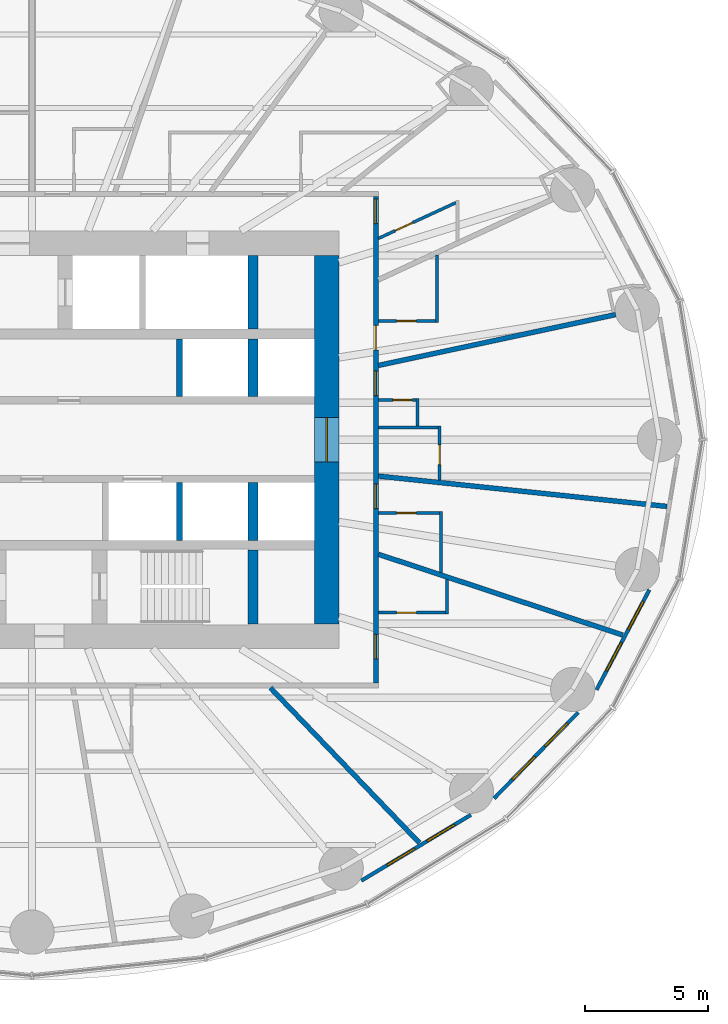
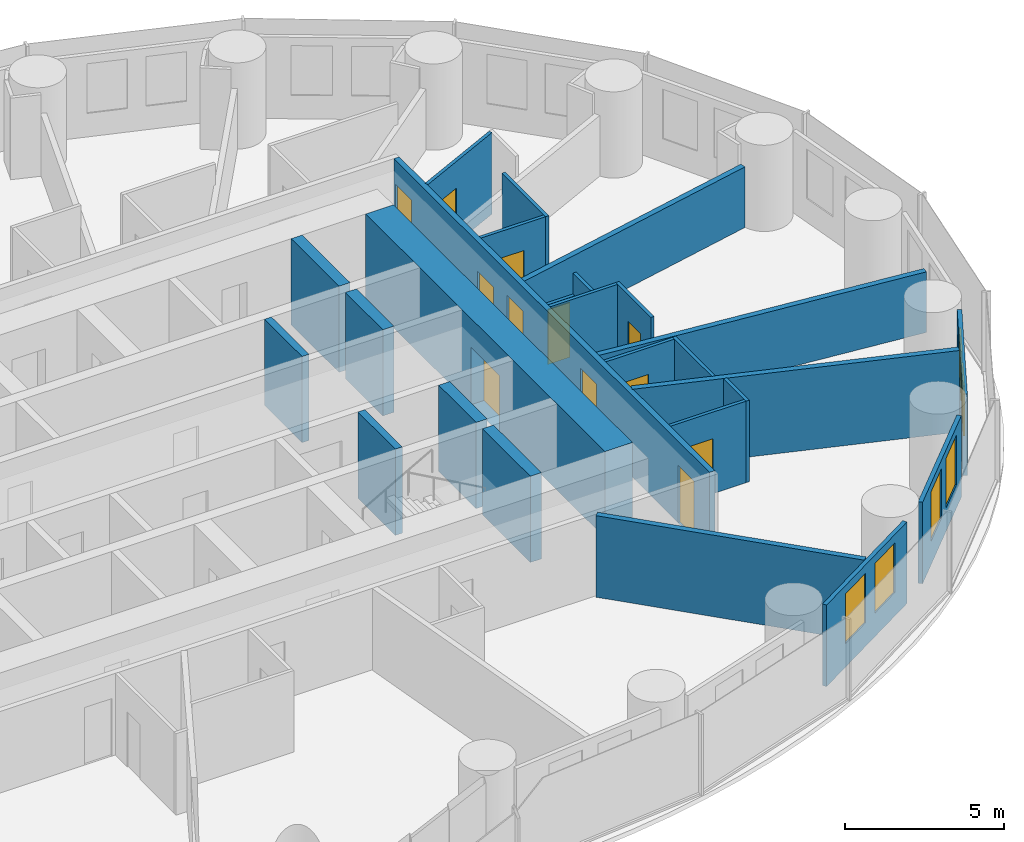
# One storey, part 9 of 13: 26 walls, 12 doors, 6 windows, 18 openings.
"""IFC4 building model written with IfcOpenShell, lengths in metres."""

from ifc_helpers import new_model, si_unit, direction, frame, frame_2d, origin, place, context, subcontext, project, spatial, rectangle, extrude, material, layer, layer_set, type_object, element, fill, save


model = new_model("IFC4")

# Units and contexts
model_context = context("Model", 3, precision=1e-05, world=origin(), true_north=direction((0.0, 1.0)))
body_context = subcontext(model_context, "Body", "Model", "MODEL_VIEW")
ifc_project = project(units=[si_unit("LENGTHUNIT", "METRE"), si_unit("AREAUNIT", "SQUARE_METRE"), si_unit("VOLUMEUNIT", "CUBIC_METRE"), si_unit("PLANEANGLEUNIT", "RADIAN"), si_unit("MASSUNIT", "GRAM", prefix="KILO")], contexts=[model_context])

# Site, building, storey
site_placement = place(None, origin())
site = spatial("IfcSite", under=ifc_project, at=site_placement, CompositionType="ELEMENT")
building_placement = place(site_placement, origin())
building = spatial("IfcBuilding", under=site, at=building_placement, Name="Hankou Lantern Tower", CompositionType="ELEMENT")
storey_placement = place(building_placement, frame((0.0, 0.0, 39.300048828125)))
storey = spatial("IfcBuildingStorey", under=building, at=storey_placement, Name="L08", CompositionType="ELEMENT", Elevation=39.300048828125)

# Wall, opening, door
ifc_material_1 = material(Name="Concrete C60", Category="concrete")
ifc_layer_1 = layer(ifc_material_1, 1.0)
ifc_layer_set_1 = layer_set([ifc_layer_1], Name="Concrete C60")
wall_type_1 = type_object("IfcWallType", Name="CW1 CORE WALL 1000", PredefinedType="SHEAR", material=ifc_layer_set_1)
wall_1_placement = place(storey_placement, frame((12.0, -7.5, 0.0), z_axis=(0.0, 0.0, 1.0), x_axis=(0.0, 1.0, 0.0)))
wall_1 = element("IfcWall", 1, at=wall_1_placement, inside=storey, type_object=wall_type_1, Name="Core wall east L08", PredefinedType="SHEAR", context=body_context, shape_type="SweptSolid", body=[
    extrude(rectangle(XDim=15.0, YDim=1.0, at=frame_2d((7.5, 0.0))), origin(), (0.0, 0.0, 1.0), 3.300048828125),
])
opening_1_placement = place(wall_1_placement, frame((6.60009765625, 0.0, 0.0)))
opening_1 = element("IfcOpeningElement", 2, at=opening_1_placement, cuts=wall_1, Name="Opening D6", PredefinedType="OPENING", context=body_context, shape_type="SweptSolid", body=[
    extrude(rectangle(XDim=1.800048828125, YDim=2.199951171875, at=frame_2d((0.89990234375, 1.10009765625))), frame((0.0, 0.510009765625, 0.0), z_axis=(0.0, -1.0, 0.0), x_axis=(1.0, 0.0, 0.0)), (0.0, 0.0, 1.0), 1.02001953125),
])
ifc_material_2 = material(Name="Steel door leaf", Category="steel")
door_type_1 = type_object("IfcDoorType", Name="D6 LIFT LOBBY DOOR 1800X2200", OperationType="DOUBLE_DOOR_DOUBLE_SWING", PredefinedType="DOOR", material=ifc_material_2)
door_1_placement = place(opening_1_placement, origin())
door_1 = element("IfcDoor", 3, at=door_1_placement, inside=storey, type_object=door_type_1, Name="Lift lobby east door", OperationType="DOUBLE_DOOR_DOUBLE_SWING", OverallHeight=2.199951171875, OverallWidth=1.800048828125, PredefinedType="DOOR", context=body_context, shape_type="SweptSolid", body=[
    extrude(rectangle(XDim=1.800048828125, YDim=2.199951171875, at=frame_2d((0.89990234375, 1.10009765625))), frame((0.0, 0.02490234375, 0.0), z_axis=(0.0, -1.0, 0.0), x_axis=(1.0, 0.0, 0.0)), (0.0, 0.0, 1.0), 0.050048828125),
])
fill(opening_1, door_1)

# Walls
ifc_material_3 = material(Name="Concrete C60", Category="concrete")
ifc_layer_2 = layer(ifc_material_3, 0.39990234375)
ifc_layer_set_2 = layer_set([ifc_layer_2], Name="Concrete C60")
wall_type_2 = type_object("IfcWallType", Name="CW4 CORE CROSS WALL 400", PredefinedType="SHEAR", material=ifc_layer_set_2)
wall_2_placement = place(storey_placement, frame((9.0, 4.5, 0.0), z_axis=(0.0, 0.0, 1.0), x_axis=(0.0, 1.0, 0.0)))
element("IfcWall", 4, at=wall_2_placement, inside=storey, type_object=wall_type_2, Name="Core strip wall L08", PredefinedType="SHEAR", context=body_context, shape_type="SweptSolid", body=[
    extrude(rectangle(XDim=3.0, YDim=0.39990234375, at=frame_2d((1.5, 0.0))), origin(), (0.0, 0.0, 1.0), 3.300048828125),
])
for number, where, z_axis, x_axis, name in (
    (5, (9.0, 1.75, 0.0), (0.0, 0.0, 1.0), (0.0, 1.0, 0.0), "Core strip wall L08"),
    (6, (9.0, -4.10009765625, 0.0), (0.0, 0.0, 1.0), (0.0, 1.0, 0.0), "Core strip wall L08"),
):
    element("IfcWall", number, at=place(storey_placement, frame(where, z_axis=z_axis, x_axis=x_axis)), inside=storey, type_object=wall_type_2, Name=name, PredefinedType="SHEAR", context=body_context, shape_type="SweptSolid", body=[
        extrude(rectangle(XDim=2.35009765625, YDim=0.39990234375, at=frame_2d((1.175048828125, 0.0))), origin(), (0.0, 0.0, 1.0), 3.300048828125),
    ])
wall_3_placement = place(storey_placement, frame((9.0, -7.5, 0.0), z_axis=(0.0, 0.0, 1.0), x_axis=(0.0, 1.0, 0.0)))
element("IfcWall", 7, at=wall_3_placement, inside=storey, type_object=wall_type_2, Name="Core strip wall L08", PredefinedType="SHEAR", context=body_context, shape_type="SweptSolid", body=[
    extrude(rectangle(XDim=3.0, YDim=0.39990234375, at=frame_2d((1.5, 0.0))), origin(), (0.0, 0.0, 1.0), 3.300048828125),
])

# Wall, openings, windows
ifc_material_4 = material(Name="Aluminium spandrel panel on steel studs", Category="steel")
ifc_layer_3 = layer(ifc_material_4, 0.14990234375)
ifc_layer_set_3 = layer_set([ifc_layer_3], Name="Aluminium spandrel panel on steel studs")
wall_type_3 = type_object("IfcWallType", Name="EW1 INNER SKIN WALL 150", PredefinedType="ELEMENTEDWALL", material=ifc_layer_set_3)
wall_4_placement = place(storey_placement, frame((13.412109375, -17.957275390625, 0.0), z_axis=(0.0, 0.0, 1.0), x_axis=(0.856958191554, 0.515385931054, 0.0)))
wall_4 = element("IfcWall", 8, at=wall_4_placement, inside=storey, type_object=wall_type_3, Name="Inner skin R21-R22 L08", PredefinedType="ELEMENTEDWALL", context=body_context, shape_type="SweptSolid", body=[
    extrude(rectangle(XDim=5.201171875, YDim=0.14990234375, at=frame_2d((2.6005859375, 0.0))), origin(), (0.0, 0.0, 1.0), 3.119873046875),
])
opening_2_placement = place(wall_4_placement, frame((1.22509765625, 0.0, 0.89990234375)))
opening_2 = element("IfcOpeningElement", 9, at=opening_2_placement, cuts=wall_4, Name="Opening W9", PredefinedType="OPENING", context=body_context, shape_type="SweptSolid", body=[
    extrude(rectangle(XDim=1.300048828125, YDim=1.89990234375, at=frame_2d((0.64990234375, 0.949951171875))), frame((0.0, 0.0849609375, 0.0), z_axis=(0.0, -1.0, 0.0), x_axis=(1.0, 0.0, 0.0)), (0.0, 0.0, 1.0), 0.169921875),
])
opening_3_placement = place(wall_4_placement, frame((3.125, 0.0, 0.89990234375)))
opening_3 = element("IfcOpeningElement", 10, at=opening_3_placement, cuts=wall_4, Name="Opening W9", PredefinedType="OPENING", context=body_context, shape_type="SweptSolid", body=[
    extrude(rectangle(XDim=1.300048828125, YDim=1.89990234375, at=frame_2d((0.64990234375, 0.949951171875))), frame((0.0, 0.0849609375, 0.0), z_axis=(0.0, -1.0, 0.0), x_axis=(1.0, 0.0, 0.0)), (0.0, 0.0, 1.0), 0.169921875),
])
ifc_material_5 = material(Name="Aluminium framed double glazed window", Category="aluminium")
window_type = type_object("IfcWindowType", Name="W9 GUEST ROOM WINDOW 1300X1900", PartitioningType="DOUBLE_PANEL_VERTICAL", PredefinedType="WINDOW", material=ifc_material_5)
window_1_placement = place(opening_2_placement, origin())
window_1 = element("IfcWindow", 11, at=window_1_placement, inside=storey, type_object=window_type, Name="Window R21.1 L08", OverallHeight=1.89990234375, OverallWidth=1.300048828125, PartitioningType="SINGLE_PANEL", PredefinedType="WINDOW", context=body_context, shape_type="SweptSolid", body=[
    extrude(rectangle(XDim=1.300048828125, YDim=1.89990234375, at=frame_2d((0.64990234375, 0.949951171875))), frame((0.0, 0.030029296875, 0.0), z_axis=(0.0, -1.0, 0.0), x_axis=(1.0, 0.0, 0.0)), (0.0, 0.0, 1.0), 0.06005859375),
])
fill(opening_2, window_1)
window_2_placement = place(opening_3_placement, origin())
window_2 = element("IfcWindow", 12, at=window_2_placement, inside=storey, type_object=window_type, Name="Window R21.2 L08", OverallHeight=1.89990234375, OverallWidth=1.300048828125, PartitioningType="SINGLE_PANEL", PredefinedType="WINDOW", context=body_context, shape_type="SweptSolid", body=[
    extrude(rectangle(XDim=1.300048828125, YDim=1.89990234375, at=frame_2d((0.64990234375, 0.949951171875))), frame((0.0, 0.030029296875, 0.0), z_axis=(0.0, -1.0, 0.0), x_axis=(1.0, 0.0, 0.0)), (0.0, 0.0, 1.0), 0.06005859375),
])
fill(opening_3, window_2)

wall_5_placement = place(storey_placement, frame((18.8134765625, -14.606689453125, 0.0), z_axis=(0.0, 0.0, 1.0), x_axis=(0.699612594083, 0.714522370679, 0.0)))
wall_5 = element("IfcWall", 13, at=wall_5_placement, inside=storey, type_object=wall_type_3, Name="Inner skin R22-R23 L08", PredefinedType="ELEMENTEDWALL", context=body_context, shape_type="SweptSolid", body=[
    extrude(rectangle(XDim=4.89599609375, YDim=0.14990234375, at=frame_2d((2.447998046875, 0.0))), origin(), (0.0, 0.0, 1.0), 3.119873046875),
])
opening_4_placement = place(wall_5_placement, frame((1.076904296875, 0.0, 0.89990234375)))
opening_4 = element("IfcOpeningElement", 14, at=opening_4_placement, cuts=wall_5, Name="Opening W9", PredefinedType="OPENING", context=body_context, shape_type="SweptSolid", body=[
    extrude(rectangle(XDim=1.300048828125, YDim=1.89990234375, at=frame_2d((0.64990234375, 0.949951171875))), frame((0.0, 0.0849609375, 0.0), z_axis=(0.0, -1.0, 0.0), x_axis=(1.0, 0.0, 0.0)), (0.0, 0.0, 1.0), 0.169921875),
])
opening_5_placement = place(wall_5_placement, frame((2.976806640625, 0.0, 0.89990234375)))
opening_5 = element("IfcOpeningElement", 15, at=opening_5_placement, cuts=wall_5, Name="Opening W9", PredefinedType="OPENING", context=body_context, shape_type="SweptSolid", body=[
    extrude(rectangle(XDim=1.300048828125, YDim=1.89990234375, at=frame_2d((0.64990234375, 0.949951171875))), frame((0.0, 0.0849609375, 0.0), z_axis=(0.0, -1.0, 0.0), x_axis=(1.0, 0.0, 0.0)), (0.0, 0.0, 1.0), 0.169921875),
])
window_3_placement = place(opening_4_placement, origin())
window_3 = element("IfcWindow", 16, at=window_3_placement, inside=storey, type_object=window_type, Name="Window R22.1 L08", OverallHeight=1.89990234375, OverallWidth=1.300048828125, PartitioningType="SINGLE_PANEL", PredefinedType="WINDOW", context=body_context, shape_type="SweptSolid", body=[
    extrude(rectangle(XDim=1.300048828125, YDim=1.89990234375, at=frame_2d((0.64990234375, 0.949951171875))), frame((0.0, 0.030029296875, 0.0), z_axis=(0.0, -1.0, 0.0), x_axis=(1.0, 0.0, 0.0)), (0.0, 0.0, 1.0), 0.06005859375),
])
fill(opening_4, window_3)
window_4_placement = place(opening_5_placement, origin())
window_4 = element("IfcWindow", 17, at=window_4_placement, inside=storey, type_object=window_type, Name="Window R22.2 L08", OverallHeight=1.89990234375, OverallWidth=1.300048828125, PartitioningType="SINGLE_PANEL", PredefinedType="WINDOW", context=body_context, shape_type="SweptSolid", body=[
    extrude(rectangle(XDim=1.300048828125, YDim=1.89990234375, at=frame_2d((0.64990234375, 0.949951171875))), frame((0.0, 0.030029296875, 0.0), z_axis=(0.0, -1.0, 0.0), x_axis=(1.0, 0.0, 0.0)), (0.0, 0.0, 1.0), 0.06005859375),
])
fill(opening_5, window_4)

wall_6_placement = place(storey_placement, frame((22.986083984375, -10.185302734375, 0.0), z_axis=(0.0, 0.0, 1.0), x_axis=(0.467303182954, 0.884097129959, 0.0)))
wall_6 = element("IfcWall", 18, at=wall_6_placement, inside=storey, type_object=wall_type_3, Name="Inner skin R23-R24 L08", PredefinedType="ELEMENTEDWALL", context=body_context, shape_type="SweptSolid", body=[
    extrude(rectangle(XDim=4.6064453125, YDim=0.14990234375, at=frame_2d((2.30322265625, 0.0))), origin(), (0.0, 0.0, 1.0), 3.119873046875),
])
opening_6_placement = place(wall_6_placement, frame((0.874755859375, 0.0, 0.89990234375)))
opening_6 = element("IfcOpeningElement", 19, at=opening_6_placement, cuts=wall_6, Name="Opening W9", PredefinedType="OPENING", context=body_context, shape_type="SweptSolid", body=[
    extrude(rectangle(XDim=1.300048828125, YDim=1.89990234375, at=frame_2d((0.64990234375, 0.949951171875))), frame((0.0, 0.0849609375, 0.0), z_axis=(0.0, -1.0, 0.0), x_axis=(1.0, 0.0, 0.0)), (0.0, 0.0, 1.0), 0.169921875),
])
opening_7_placement = place(wall_6_placement, frame((2.77490234375, 0.0, 0.89990234375)))
opening_7 = element("IfcOpeningElement", 20, at=opening_7_placement, cuts=wall_6, Name="Opening W9", PredefinedType="OPENING", context=body_context, shape_type="SweptSolid", body=[
    extrude(rectangle(XDim=1.300048828125, YDim=1.89990234375, at=frame_2d((0.64990234375, 0.949951171875))), frame((0.0, 0.0849609375, 0.0), z_axis=(0.0, -1.0, 0.0), x_axis=(1.0, 0.0, 0.0)), (0.0, 0.0, 1.0), 0.169921875),
])
window_5_placement = place(opening_6_placement, origin())
window_5 = element("IfcWindow", 21, at=window_5_placement, inside=storey, type_object=window_type, Name="Window R23.1 L08", OverallHeight=1.89990234375, OverallWidth=1.300048828125, PartitioningType="SINGLE_PANEL", PredefinedType="WINDOW", context=body_context, shape_type="SweptSolid", body=[
    extrude(rectangle(XDim=1.300048828125, YDim=1.89990234375, at=frame_2d((0.64990234375, 0.949951171875))), frame((0.0, 0.030029296875, 0.0), z_axis=(0.0, -1.0, 0.0), x_axis=(1.0, 0.0, 0.0)), (0.0, 0.0, 1.0), 0.06005859375),
])
fill(opening_6, window_5)
window_6_placement = place(opening_7_placement, origin())
window_6 = element("IfcWindow", 22, at=window_6_placement, inside=storey, type_object=window_type, Name="Window R23.2 L08", OverallHeight=1.89990234375, OverallWidth=1.300048828125, PartitioningType="SINGLE_PANEL", PredefinedType="WINDOW", context=body_context, shape_type="SweptSolid", body=[
    extrude(rectangle(XDim=1.300048828125, YDim=1.89990234375, at=frame_2d((0.64990234375, 0.949951171875))), frame((0.0, 0.030029296875, 0.0), z_axis=(0.0, -1.0, 0.0), x_axis=(1.0, 0.0, 0.0)), (0.0, 0.0, 1.0), 0.06005859375),
])
fill(opening_7, window_6)

# Walls
ifc_material_6 = material(Name="Masonry lightweight concrete block", Category="masonry")
ifc_layer_4 = layer(ifc_material_6, 0.199951171875)
ifc_layer_set_4 = layer_set([ifc_layer_4], Name="Masonry lightweight concrete block")
wall_type_4 = type_object("IfcWallType", Name="IW1 GUEST ROOM PARTY WALL 200", PredefinedType="PARTITIONING", material=ifc_layer_set_4)
wall_7_placement = place(storey_placement, frame((14.10009765625, 3.0224609375, 0.0), z_axis=(0.0, 0.0, 1.0), x_axis=(0.977786510688, 0.209603290805, 0.0)))
element("IfcWall", 23, at=wall_7_placement, inside=storey, type_object=wall_type_4, Name="Party wall R02", PredefinedType="PARTITIONING", context=body_context, shape_type="SweptSolid", body=[
    extrude(rectangle(XDim=9.88671875, YDim=0.199951171875, at=frame_2d((4.943359375, 0.0))), origin(), (0.0, 0.0, 1.0), 2.320068359375),
])
wall_8_placement = place(storey_placement, frame((9.705078125, -10.10009765625, 0.0), z_axis=(0.0, 0.0, 1.0), x_axis=(0.692879226267, -0.721053658064, 0.0)))
element("IfcWall", 24, at=wall_8_placement, inside=storey, type_object=wall_type_4, Name="Party wall R21-R22", PredefinedType="PARTITIONING", context=body_context, shape_type="SweptSolid", body=[
    extrude(rectangle(XDim=8.7607421875, YDim=0.199951171875, at=frame_2d((4.38037109375, 0.0))), origin(), (0.0, 0.0, 1.0), 3.119873046875),
])
wall_9_placement = place(storey_placement, frame((14.10009765625, -4.6630859375, 0.0), z_axis=(0.0, 0.0, 1.0), x_axis=(0.949432655039, -0.31397075269, 0.0)))
element("IfcWall", 25, at=wall_9_placement, inside=storey, type_object=wall_type_4, Name="Party wall R23-R24", PredefinedType="PARTITIONING", context=body_context, shape_type="SweptSolid", body=[
    extrude(rectangle(XDim=10.48583984375, YDim=0.199951171875, at=frame_2d((5.242919921875, 0.0))), origin(), (0.0, 0.0, 1.0), 3.119873046875),
])
wall_10_placement = place(storey_placement, frame((14.10009765625, -1.48193359375, 0.0), z_axis=(0.0, 0.0, 1.0), x_axis=(0.994522076235, -0.104526742422, 0.0)))
element("IfcWall", 26, at=wall_10_placement, inside=storey, type_object=wall_type_4, Name="Party wall R24-R01", PredefinedType="PARTITIONING", context=body_context, shape_type="SweptSolid", body=[
    extrude(rectangle(XDim=11.82080078125, YDim=0.199951171875, at=frame_2d((5.910400390625, 0.0))), origin(), (0.0, 0.0, 1.0), 2.320068359375),
])

# Wall, openings, doors
ifc_material_7 = material(Name="Masonry lightweight concrete block", Category="masonry")
ifc_layer_5 = layer(ifc_material_7, 0.199951171875)
ifc_layer_set_5 = layer_set([ifc_layer_5], Name="Masonry lightweight concrete block")
wall_type_5 = type_object("IfcWallType", Name="IW2 CORRIDOR WALL 200", PredefinedType="PARTITIONING", material=ifc_layer_set_5)
wall_11_placement = place(storey_placement, frame((14.0, -9.89990234375, 0.0), z_axis=(0.0, 0.0, 1.0), x_axis=(0.0, 1.0, 0.0)))
wall_11 = element("IfcWall", 27, at=wall_11_placement, inside=storey, type_object=wall_type_5, Name="Corridor wall east", PredefinedType="PARTITIONING", context=body_context, shape_type="SweptSolid", body=[
    extrude(rectangle(XDim=19.7998046875, YDim=0.199951171875, at=frame_2d((9.89990234375, 0.0))), origin(), (0.0, 0.0, 1.0), 3.119873046875),
])
opening_8_placement = place(wall_11_placement, frame((11.697998046875, 0.0, 0.0)))
opening_8 = element("IfcOpeningElement", 28, at=opening_8_placement, cuts=wall_11, Name="Opening D1", PredefinedType="OPENING", context=body_context, shape_type="SweptSolid", body=[
    extrude(rectangle(XDim=1.0, YDim=2.199951171875, at=frame_2d((0.5, 1.10009765625))), frame((0.0, 0.10986328125, 0.0), z_axis=(0.0, -1.0, 0.0), x_axis=(1.0, 0.0, 0.0)), (0.0, 0.0, 1.0), 0.219970703125),
])
opening_9_placement = place(wall_11_placement, frame((13.553955078125, 0.0, 0.0)))
opening_9 = element("IfcOpeningElement", 29, at=opening_9_placement, cuts=wall_11, Name="Opening D35", PredefinedType="OPENING", context=body_context, shape_type="SweptSolid", body=[
    extrude(rectangle(XDim=1.0, YDim=2.0, at=frame_2d((0.5, 1.0))), frame((0.0, 0.10986328125, 0.0), z_axis=(0.0, -1.0, 0.0), x_axis=(1.0, 0.0, 0.0)), (0.0, 0.0, 1.0), 0.219970703125),
])
opening_10_placement = place(wall_11_placement, frame((18.697509765625, 0.0, 0.0)))
opening_10 = element("IfcOpeningElement", 30, at=opening_10_placement, cuts=wall_11, Name="Opening D1", PredefinedType="OPENING", context=body_context, shape_type="SweptSolid", body=[
    extrude(rectangle(XDim=1.0, YDim=2.199951171875, at=frame_2d((0.5, 1.10009765625))), frame((0.0, 0.10986328125, 0.0), z_axis=(0.0, -1.0, 0.0), x_axis=(1.0, 0.0, 0.0)), (0.0, 0.0, 1.0), 0.219970703125),
])
opening_11_placement = place(wall_11_placement, frame((0.97509765625, 0.0, 0.0)))
opening_11 = element("IfcOpeningElement", 31, at=opening_11_placement, cuts=wall_11, Name="Opening D2", PredefinedType="OPENING", context=body_context, shape_type="SweptSolid", body=[
    extrude(rectangle(XDim=1.0, YDim=2.199951171875, at=frame_2d((0.5, 1.10009765625))), frame((0.0, 0.10986328125, 0.0), z_axis=(0.0, -1.0, 0.0), x_axis=(1.0, 0.0, 0.0)), (0.0, 0.0, 1.0), 0.219970703125),
])
opening_12_placement = place(wall_11_placement, frame((7.096923828125, 0.0, 0.0)))
opening_12 = element("IfcOpeningElement", 32, at=opening_12_placement, cuts=wall_11, Name="Opening D1", PredefinedType="OPENING", context=body_context, shape_type="SweptSolid", body=[
    extrude(rectangle(XDim=1.0, YDim=2.199951171875, at=frame_2d((0.5, 1.10009765625))), frame((0.0, 0.10986328125, 0.0), z_axis=(0.0, -1.0, 0.0), x_axis=(1.0, 0.0, 0.0)), (0.0, 0.0, 1.0), 0.219970703125),
])
ifc_material_8 = material(Name="Steel door leaf", Category="steel")
door_type_2 = type_object("IfcDoorType", Name="D1 GUEST ROOM DOOR 1000X2200", OperationType="SINGLE_SWING_LEFT", PredefinedType="DOOR", material=ifc_material_8)
door_2_placement = place(opening_8_placement, origin())
door_2 = element("IfcDoor", 33, at=door_2_placement, inside=storey, type_object=door_type_2, Name="Guest room door 0801", OperationType="SINGLE_SWING_RIGHT", OverallHeight=2.199951171875, OverallWidth=1.0, PredefinedType="DOOR", context=body_context, shape_type="SweptSolid", body=[
    extrude(rectangle(XDim=1.0, YDim=2.199951171875, at=frame_2d((0.5, 1.10009765625))), frame((0.0, 0.02490234375, 0.0), z_axis=(0.0, -1.0, 0.0), x_axis=(1.0, 0.0, 0.0)), (0.0, 0.0, 1.0), 0.050048828125),
])
fill(opening_8, door_2)
door_3_placement = place(opening_10_placement, origin())
door_3 = element("IfcDoor", 34, at=door_3_placement, inside=storey, type_object=door_type_2, Name="Guest room door 0803", OperationType="SINGLE_SWING_RIGHT", OverallHeight=2.199951171875, OverallWidth=1.0, PredefinedType="DOOR", context=body_context, shape_type="SweptSolid", body=[
    extrude(rectangle(XDim=1.0, YDim=2.199951171875, at=frame_2d((0.5, 1.10009765625))), frame((0.0, 0.02490234375, 0.0), z_axis=(0.0, -1.0, 0.0), x_axis=(1.0, 0.0, 0.0)), (0.0, 0.0, 1.0), 0.050048828125),
])
fill(opening_10, door_3)
door_4_placement = place(opening_12_placement, origin())
door_4 = element("IfcDoor", 35, at=door_4_placement, inside=storey, type_object=door_type_2, Name="Guest room door 0819", OperationType="SINGLE_SWING_LEFT", OverallHeight=2.199951171875, OverallWidth=1.0, PredefinedType="DOOR", context=body_context, shape_type="SweptSolid", body=[
    extrude(rectangle(XDim=1.0, YDim=2.199951171875, at=frame_2d((0.5, 1.10009765625))), frame((0.0, 0.02490234375, 0.0), z_axis=(0.0, -1.0, 0.0), x_axis=(1.0, 0.0, 0.0)), (0.0, 0.0, 1.0), 0.050048828125),
])
fill(opening_12, door_4)
ifc_material_9 = material(Name="Steel door leaf", Category="steel")
door_type_3 = type_object("IfcDoorType", Name="D2 SUITE DOOR 1000X2200", OperationType="SINGLE_SWING_LEFT", PredefinedType="DOOR", material=ifc_material_9)
door_5_placement = place(opening_11_placement, origin())
door_5 = element("IfcDoor", 36, at=door_5_placement, inside=storey, type_object=door_type_3, Name="Suite door 0818", OperationType="SINGLE_SWING_LEFT", OverallHeight=2.199951171875, OverallWidth=1.0, PredefinedType="DOOR", context=body_context, shape_type="SweptSolid", body=[
    extrude(rectangle(XDim=1.0, YDim=2.199951171875, at=frame_2d((0.5, 1.10009765625))), frame((0.0, 0.02490234375, 0.0), z_axis=(0.0, -1.0, 0.0), x_axis=(1.0, 0.0, 0.0)), (0.0, 0.0, 1.0), 0.050048828125),
])
fill(opening_11, door_5)
ifc_material_10 = material(Name="Steel door leaf", Category="steel")
door_type_4 = type_object("IfcDoorType", Name="D35 GUEST ROOM DOOR 1000X2000", OperationType="SINGLE_SWING_LEFT", PredefinedType="DOOR", material=ifc_material_10)
door_6_placement = place(opening_9_placement, origin())
door_6 = element("IfcDoor", 37, at=door_6_placement, inside=storey, type_object=door_type_4, Name="Guest room door 0802", OperationType="SINGLE_SWING_RIGHT", OverallHeight=2.0, OverallWidth=1.0, PredefinedType="DOOR", context=body_context, shape_type="SweptSolid", body=[
    extrude(rectangle(XDim=1.0, YDim=2.0, at=frame_2d((0.5, 1.0))), frame((0.0, 0.02490234375, 0.0), z_axis=(0.0, -1.0, 0.0), x_axis=(1.0, 0.0, 0.0)), (0.0, 0.0, 1.0), 0.050048828125),
])
fill(opening_9, door_6)

# Wall, opening, door
ifc_material_11 = material(Name="Masonry lightweight concrete block", Category="masonry")
ifc_layer_6 = layer(ifc_material_11, 0.1201171875)
ifc_layer_set_6 = layer_set([ifc_layer_6], Name="Masonry lightweight concrete block")
wall_type_6 = type_object("IfcWallType", Name="IW3 BATHROOM WALL 120", PredefinedType="PARTITIONING", material=ifc_layer_set_6)
wall_12_placement = place(storey_placement, frame((16.60009765625, -1.644775390625, 0.0), z_axis=(0.0, 0.0, 1.0), x_axis=(0.0, 1.0, 0.0)))
wall_12 = element("IfcWall", 38, at=wall_12_placement, inside=storey, type_object=wall_type_6, Name="Box wall 0801 1", PredefinedType="PARTITIONING", context=body_context, shape_type="SweptSolid", body=[
    extrude(rectangle(XDim=2.202880859375, YDim=0.1201171875, at=frame_2d((1.1015625, 0.0))), origin(), (0.0, 0.0, 1.0), 3.119873046875),
])
opening_13_placement = place(wall_12_placement, frame((0.634033203125, 0.0, 0.0)))
opening_13 = element("IfcOpeningElement", 39, at=opening_13_placement, cuts=wall_12, Name="Opening D3", PredefinedType="OPENING", context=body_context, shape_type="SweptSolid", body=[
    extrude(rectangle(XDim=0.800048828125, YDim=2.10009765625, at=frame_2d((0.39990234375, 1.050048828125))), frame((0.0, 0.070068359375, 0.0), z_axis=(0.0, -1.0, 0.0), x_axis=(1.0, 0.0, 0.0)), (0.0, 0.0, 1.0), 0.14013671875),
])
ifc_material_12 = material(Name="Timber door leaf", Category="wood")
door_type_5 = type_object("IfcDoorType", Name="D3 BATHROOM DOOR 800X2100", OperationType="SINGLE_SWING_LEFT", PredefinedType="DOOR", material=ifc_material_12)
door_7_placement = place(opening_13_placement, origin())
door_7 = element("IfcDoor", 40, at=door_7_placement, inside=storey, type_object=door_type_5, Name="En-suite bathroom 0801 door", OperationType="SINGLE_SWING_LEFT", OverallHeight=2.10009765625, OverallWidth=0.800048828125, PredefinedType="DOOR", context=body_context, shape_type="SweptSolid", body=[
    extrude(rectangle(XDim=0.800048828125, YDim=2.10009765625, at=frame_2d((0.39990234375, 1.050048828125))), frame((0.0, 0.02490234375, 0.0), z_axis=(0.0, -1.0, 0.0), x_axis=(1.0, 0.0, 0.0)), (0.0, 0.0, 1.0), 0.050048828125),
])
fill(opening_13, door_7)

# Walls
wall_13_placement = place(storey_placement, frame((14.10009765625, 0.498046875, 0.0), z_axis=(0.0, 0.0, 1.0), x_axis=(1.0, 0.0, 0.0)))
element("IfcWall", 41, at=wall_13_placement, inside=storey, type_object=wall_type_6, Name="Box wall 0801 1", PredefinedType="PARTITIONING", context=body_context, shape_type="SweptSolid", body=[
    extrude(rectangle(XDim=2.43994140625, YDim=0.1201171875, at=frame_2d((1.219970703125, 0.0))), origin(), (0.0, 0.0, 1.0), 3.119873046875),
])
wall_14_placement = place(storey_placement, frame((15.699951171875, 0.55810546875, 0.0), z_axis=(0.0, 0.0, 1.0), x_axis=(0.0, 1.0, 0.0)))
element("IfcWall", 42, at=wall_14_placement, inside=storey, type_object=wall_type_6, Name="Box wall 0801 2", PredefinedType="PARTITIONING", context=body_context, shape_type="SweptSolid", body=[
    extrude(rectangle(XDim=1.119873046875, YDim=0.1201171875, at=frame_2d((0.56005859375, 0.0))), origin(), (0.0, 0.0, 1.0), 3.119873046875),
])

# Wall, opening, door
wall_15_placement = place(storey_placement, frame((14.10009765625, 1.617919921875, 0.0), z_axis=(0.0, 0.0, 1.0), x_axis=(1.0, 0.0, 0.0)))
wall_15 = element("IfcWall", 43, at=wall_15_placement, inside=storey, type_object=wall_type_6, Name="Box wall 0801 2", PredefinedType="PARTITIONING", context=body_context, shape_type="SweptSolid", body=[
    extrude(rectangle(XDim=1.539794921875, YDim=0.1201171875, at=frame_2d((0.77001953125, 0.0))), origin(), (0.0, 0.0, 1.0), 2.320068359375),
])
opening_14_placement = place(wall_15_placement, frame((0.590087890625, 0.0, 0.0)))
opening_14 = element("IfcOpeningElement", 44, at=opening_14_placement, cuts=wall_15, Name="Opening D3", PredefinedType="OPENING", context=body_context, shape_type="SweptSolid", body=[
    extrude(rectangle(XDim=0.800048828125, YDim=2.10009765625, at=frame_2d((0.39990234375, 1.050048828125))), frame((0.0, 0.070068359375, 0.0), z_axis=(0.0, -1.0, 0.0), x_axis=(1.0, 0.0, 0.0)), (0.0, 0.0, 1.0), 0.14013671875),
])
door_8_placement = place(opening_14_placement, origin())
door_8 = element("IfcDoor", 45, at=door_8_placement, inside=storey, type_object=door_type_5, Name="En-suite WC 0801 door", OperationType="SINGLE_SWING_LEFT", OverallHeight=2.10009765625, OverallWidth=0.800048828125, PredefinedType="DOOR", context=body_context, shape_type="SweptSolid", body=[
    extrude(rectangle(XDim=0.800048828125, YDim=2.10009765625, at=frame_2d((0.39990234375, 1.050048828125))), frame((0.0, 0.02490234375, 0.0), z_axis=(0.0, -1.0, 0.0), x_axis=(1.0, 0.0, 0.0)), (0.0, 0.0, 1.0), 0.050048828125),
])
fill(opening_14, door_8)

# Wall
wall_16_placement = place(storey_placement, frame((16.5, 7.52099609375, 0.0), z_axis=(0.0, 0.0, 1.0), x_axis=(0.0, -1.0, 0.0)))
element("IfcWall", 46, at=wall_16_placement, inside=storey, type_object=wall_type_6, Name="Box wall 0802 1", PredefinedType="PARTITIONING", context=body_context, shape_type="SweptSolid", body=[
    extrude(rectangle(XDim=2.74853515625, YDim=0.1201171875, at=frame_2d((1.374267578125, 0.0))), origin(), (0.0, 0.0, 1.0), 3.119873046875),
])

# Wall, opening, door
wall_17_placement = place(storey_placement, frame((14.10009765625, 4.83251953125, 0.0), z_axis=(0.0, 0.0, 1.0), x_axis=(1.0, 0.0, 0.0)))
wall_17 = element("IfcWall", 47, at=wall_17_placement, inside=storey, type_object=wall_type_6, Name="Box wall 0802 1", PredefinedType="PARTITIONING", context=body_context, shape_type="SweptSolid", body=[
    extrude(rectangle(XDim=2.33984375, YDim=0.1201171875, at=frame_2d((1.169921875, 0.0))), origin(), (0.0, 0.0, 1.0), 3.119873046875),
])
opening_15_placement = place(wall_17_placement, frame((0.75, 0.0, 0.0)))
opening_15 = element("IfcOpeningElement", 48, at=opening_15_placement, cuts=wall_17, Name="Opening D3", PredefinedType="OPENING", context=body_context, shape_type="SweptSolid", body=[
    extrude(rectangle(XDim=0.800048828125, YDim=2.10009765625, at=frame_2d((0.39990234375, 1.050048828125))), frame((0.0, 0.070068359375, 0.0), z_axis=(0.0, -1.0, 0.0), x_axis=(1.0, 0.0, 0.0)), (0.0, 0.0, 1.0), 0.14013671875),
])
door_9_placement = place(opening_15_placement, origin())
door_9 = element("IfcDoor", 49, at=door_9_placement, inside=storey, type_object=door_type_5, Name="En-suite bathroom 0802 door", OperationType="SINGLE_SWING_LEFT", OverallHeight=2.10009765625, OverallWidth=0.800048828125, PredefinedType="DOOR", context=body_context, shape_type="SweptSolid", body=[
    extrude(rectangle(XDim=0.800048828125, YDim=2.10009765625, at=frame_2d((0.39990234375, 1.050048828125))), frame((0.0, 0.02490234375, 0.0), z_axis=(0.0, -1.0, 0.0), x_axis=(1.0, 0.0, 0.0)), (0.0, 0.0, 1.0), 0.050048828125),
])
fill(opening_15, door_9)

wall_18_placement = place(storey_placement, frame((14.10009765625, 8.192626953125, 0.0), z_axis=(0.0, 0.0, 1.0), x_axis=(0.907836493557, 0.419324338628, 0.0)))
wall_18 = element("IfcWall", 50, at=wall_18_placement, inside=storey, type_object=wall_type_6, Name="Box wall 0803 1", PredefinedType="PARTITIONING", context=body_context, shape_type="SweptSolid", body=[
    extrude(rectangle(XDim=3.48974609375, YDim=0.1201171875, at=frame_2d((1.744873046875, 0.0))), origin(), (0.0, 0.0, 1.0), 3.119873046875),
])
opening_16_placement = place(wall_18_placement, frame((0.75, 0.0, 0.0)))
opening_16 = element("IfcOpeningElement", 51, at=opening_16_placement, cuts=wall_18, Name="Opening D3", PredefinedType="OPENING", context=body_context, shape_type="SweptSolid", body=[
    extrude(rectangle(XDim=0.800048828125, YDim=2.10009765625, at=frame_2d((0.39990234375, 1.050048828125))), frame((0.0, 0.070068359375, 0.0), z_axis=(0.0, -1.0, 0.0), x_axis=(1.0, 0.0, 0.0)), (0.0, 0.0, 1.0), 0.14013671875),
])
door_10_placement = place(opening_16_placement, origin())
door_10 = element("IfcDoor", 52, at=door_10_placement, inside=storey, type_object=door_type_5, Name="En-suite bathroom 0803 door", OperationType="SINGLE_SWING_LEFT", OverallHeight=2.10009765625, OverallWidth=0.800048828125, PredefinedType="DOOR", context=body_context, shape_type="SweptSolid", body=[
    extrude(rectangle(XDim=0.800048828125, YDim=2.10009765625, at=frame_2d((0.39990234375, 1.050048828125))), frame((0.0, 0.02490234375, 0.0), z_axis=(0.0, -1.0, 0.0), x_axis=(1.0, 0.0, 0.0)), (0.0, 0.0, 1.0), 0.050048828125),
])
fill(opening_16, door_10)

# Wall
wall_19_placement = place(storey_placement, frame((16.89990234375, -5.68896484375, 0.0), z_axis=(0.0, 0.0, 1.0), x_axis=(0.0, -1.0, 0.0)))
element("IfcWall", 53, at=wall_19_placement, inside=storey, type_object=wall_type_6, Name="Box wall 0818 1", PredefinedType="PARTITIONING", context=body_context, shape_type="SweptSolid", body=[
    extrude(rectangle(XDim=1.4140625, YDim=0.1201171875, at=frame_2d((0.70703125, 0.0))), origin(), (0.0, 0.0, 1.0), 3.119873046875),
])

# Wall, opening, door
wall_20_placement = place(storey_placement, frame((14.10009765625, -7.04296875, 0.0), z_axis=(0.0, 0.0, 1.0), x_axis=(1.0, 0.0, 0.0)))
wall_20 = element("IfcWall", 54, at=wall_20_placement, inside=storey, type_object=wall_type_6, Name="Box wall 0818 1", PredefinedType="PARTITIONING", context=body_context, shape_type="SweptSolid", body=[
    extrude(rectangle(XDim=2.739990234375, YDim=0.1201171875, at=frame_2d((1.3701171875, 0.0))), origin(), (0.0, 0.0, 1.0), 3.119873046875),
])
opening_17_placement = place(wall_20_placement, frame((0.75, 0.0, 0.0)))
opening_17 = element("IfcOpeningElement", 55, at=opening_17_placement, cuts=wall_20, Name="Opening D3", PredefinedType="OPENING", context=body_context, shape_type="SweptSolid", body=[
    extrude(rectangle(XDim=0.800048828125, YDim=2.10009765625, at=frame_2d((0.39990234375, 1.050048828125))), frame((0.0, 0.070068359375, 0.0), z_axis=(0.0, -1.0, 0.0), x_axis=(1.0, 0.0, 0.0)), (0.0, 0.0, 1.0), 0.14013671875),
])
door_11_placement = place(opening_17_placement, origin())
door_11 = element("IfcDoor", 56, at=door_11_placement, inside=storey, type_object=door_type_5, Name="Junior suite 0818 bathroom door", OperationType="SINGLE_SWING_LEFT", OverallHeight=2.10009765625, OverallWidth=0.800048828125, PredefinedType="DOOR", context=body_context, shape_type="SweptSolid", body=[
    extrude(rectangle(XDim=0.800048828125, YDim=2.10009765625, at=frame_2d((0.39990234375, 1.050048828125))), frame((0.0, 0.02490234375, 0.0), z_axis=(0.0, -1.0, 0.0), x_axis=(1.0, 0.0, 0.0)), (0.0, 0.0, 1.0), 0.050048828125),
])
fill(opening_17, door_11)

# Wall
wall_21_placement = place(storey_placement, frame((16.64990234375, -5.40625, 0.0), z_axis=(0.0, 0.0, 1.0), x_axis=(0.0, 1.0, 0.0)))
element("IfcWall", 57, at=wall_21_placement, inside=storey, type_object=wall_type_6, Name="Box wall 0819 1", PredefinedType="PARTITIONING", context=body_context, shape_type="SweptSolid", body=[
    extrude(rectangle(XDim=2.483154296875, YDim=0.1201171875, at=frame_2d((1.24169921875, 0.0))), origin(), (0.0, 0.0, 1.0), 3.119873046875),
])

# Wall, opening, door
wall_22_placement = place(storey_placement, frame((14.10009765625, -2.98291015625, 0.0), z_axis=(0.0, 0.0, 1.0), x_axis=(1.0, 0.0, 0.0)))
wall_22 = element("IfcWall", 58, at=wall_22_placement, inside=storey, type_object=wall_type_6, Name="Box wall 0819 1", PredefinedType="PARTITIONING", context=body_context, shape_type="SweptSolid", body=[
    extrude(rectangle(XDim=2.489990234375, YDim=0.1201171875, at=frame_2d((1.2451171875, 0.0))), origin(), (0.0, 0.0, 1.0), 3.119873046875),
])
opening_18_placement = place(wall_22_placement, frame((0.75, 0.0, 0.0)))
opening_18 = element("IfcOpeningElement", 59, at=opening_18_placement, cuts=wall_22, Name="Opening D3", PredefinedType="OPENING", context=body_context, shape_type="SweptSolid", body=[
    extrude(rectangle(XDim=0.800048828125, YDim=2.10009765625, at=frame_2d((0.39990234375, 1.050048828125))), frame((0.0, 0.070068359375, 0.0), z_axis=(0.0, -1.0, 0.0), x_axis=(1.0, 0.0, 0.0)), (0.0, 0.0, 1.0), 0.14013671875),
])
door_12_placement = place(opening_18_placement, origin())
door_12 = element("IfcDoor", 60, at=door_12_placement, inside=storey, type_object=door_type_5, Name="En-suite bathroom 0819 door", OperationType="SINGLE_SWING_LEFT", OverallHeight=2.10009765625, OverallWidth=0.800048828125, PredefinedType="DOOR", context=body_context, shape_type="SweptSolid", body=[
    extrude(rectangle(XDim=0.800048828125, YDim=2.10009765625, at=frame_2d((0.39990234375, 1.050048828125))), frame((0.0, 0.02490234375, 0.0), z_axis=(0.0, -1.0, 0.0), x_axis=(1.0, 0.0, 0.0)), (0.0, 0.0, 1.0), 0.050048828125),
])
fill(opening_18, door_12)

# Walls
ifc_material_13 = material(Name="Masonry autoclaved aerated concrete block", Category="masonry")
ifc_layer_7 = layer(ifc_material_13, 0.25)
ifc_layer_set_7 = layer_set([ifc_layer_7], Name="Masonry autoclaved aerated concrete block")
wall_type_7 = type_object("IfcWallType", Name="SW1 SHAFT BLOCK WALL 250", PredefinedType="PARTITIONING", material=ifc_layer_set_7)
for number, where, z_axis, x_axis, name in (
    (61, (6.0, 1.75, 0.0), (0.0, 0.0, 1.0), (0.0, 1.0, 0.0), "Lift shaft wall L08"),
    (62, (6.0, -4.10009765625, 0.0), (0.0, 0.0, 1.0), (0.0, 1.0, 0.0), "Lift shaft wall L08"),
):
    element("IfcWall", number, at=place(storey_placement, frame(where, z_axis=z_axis, x_axis=x_axis)), inside=storey, type_object=wall_type_7, Name=name, PredefinedType="PARTITIONING", context=body_context, shape_type="SweptSolid", body=[
        extrude(rectangle(XDim=2.35009765625, YDim=0.25, at=frame_2d((1.175048828125, 0.0))), origin(), (0.0, 0.0, 1.0), 3.300048828125),
    ])

save(model, "model.ifc")
